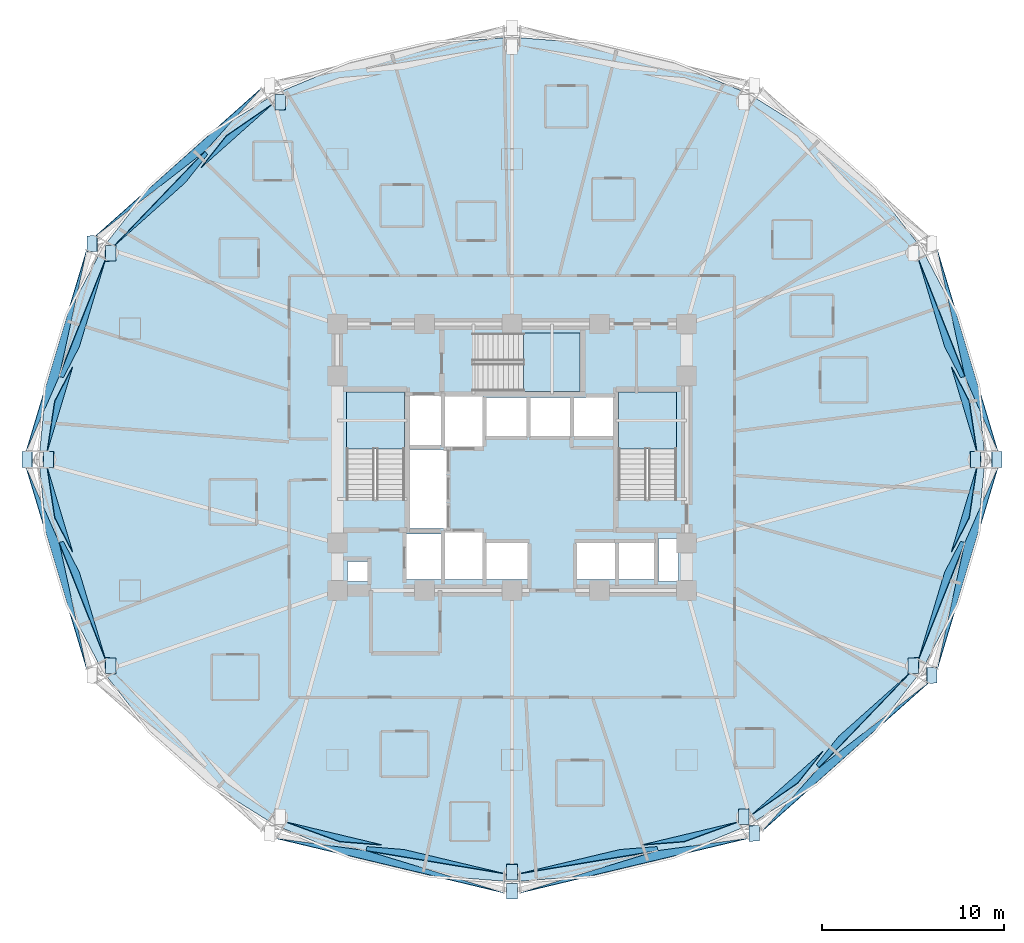
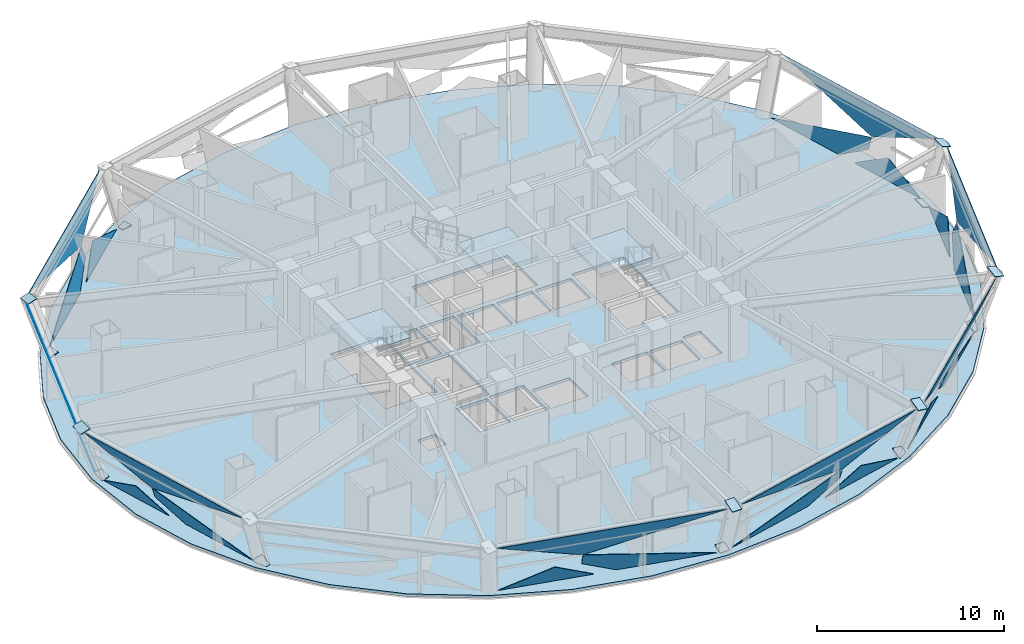
# One storey, part 3 of 12: 38 plates, 4 slabs, 11 elements without a shape of their own.
"""IFC4 building model written with IfcOpenShell, lengths in metres."""

from ifc_helpers import new_model, si_unit, direction, frame, origin, place, context, subcontext, project, spatial, polyline, outline, extrude, material, layer, layer_set, type_object, element, aggregate, save


model = new_model("IFC4")

# Units and contexts
model_context = context("Model", 3, precision=1e-05, world=origin(), true_north=direction((0.0, 1.0)))
body_context = subcontext(model_context, "Body", "Model", "MODEL_VIEW")
ifc_project = project(units=[si_unit("LENGTHUNIT", "METRE"), si_unit("AREAUNIT", "SQUARE_METRE"), si_unit("VOLUMEUNIT", "CUBIC_METRE"), si_unit("PLANEANGLEUNIT", "RADIAN"), si_unit("MASSUNIT", "GRAM", prefix="KILO")], contexts=[model_context])

# Site, building, storey
site_placement = place(None, origin())
site = spatial("IfcSite", under=ifc_project, at=site_placement, CompositionType="ELEMENT")
building_placement = place(site_placement, origin())
building = spatial("IfcBuilding", under=site, at=building_placement, Name="Vantalir Tower", CompositionType="ELEMENT")
storey_placement = place(building_placement, frame((0.0, 0.0, 38.25)))
storey = spatial("IfcBuildingStorey", under=building, at=storey_placement, Name="L08", CompositionType="ELEMENT", Elevation=38.25)

# Curtain wall, plates
ifc_material_1 = material(Name="Champagne-silver PVDF aluminium and double-silver Low-E glass", Category="aluminium")
ifc_layer_1 = layer(ifc_material_1, 0.18994140625)
ifc_layer_set_1 = layer_set([ifc_layer_1], Name="Champagne-silver PVDF aluminium and double-silver Low-E glass")
curtain_wall_type = type_object("IfcCurtainWallType", Name="CW-DIAMOND-Z1", PredefinedType="USERDEFINED", material=ifc_layer_set_1)
curtain_wall_1_placement = place(storey_placement, origin())
curtain_wall_1 = element("IfcCurtainWall", 1, at=curtain_wall_1_placement, inside=storey, type_object=curtain_wall_type, Name="L08 Quilted Pyramid-Diamond Curtain Wall S01", ObjectType="UNITISED CURTAIN WALL", PredefinedType="USERDEFINED")
ifc_material_2 = material(Name="Double-silver Low-E laminated glass IGU", Category="glass")
ifc_layer_2 = layer(ifc_material_2, 0.028076171875)
ifc_layer_set_2 = layer_set([ifc_layer_2], Name="Double-silver Low-E laminated glass IGU")
plate_type_1 = type_object("IfcPlateType", Name="CWP-IGU-28", PredefinedType="CURTAIN_PANEL", material=ifc_layer_set_2)
plate_1_placement = place(storey_placement, frame((55.276611328125, 31.20068359375, 0.046630859375), z_axis=(-0.906429416065, -0.272515617184, 0.322677783685), x_axis=(-0.28793036566, 0.957651347179, -4.21637e-05)))
plate_1 = element("IfcPlate", 2, at=plate_1_placement, type_object=plate_type_1, Name="CW-L08-S01 Pyramid Diamond Facet 1L", PredefinedType="CURTAIN_PANEL", context=body_context, shape_type="SweptSolid", body=[
    extrude(outline(polyline([(0.0, 0.0), (4.972512996365697, -3.4558944247975454e-17), (-1.8872040310438676, -1.8245694884844048), (-1.8871027206925164, -1.0982524570622512), (0.0, 0.0)])), origin(), (0.0, 0.0, -1.0), 0.028076171875),
])
plate_2_placement = place(storey_placement, frame((57.030029296875, 25.47314453125, 0.036376953125), z_axis=(-0.906454432104, -0.272488021929, 0.322630811339), x_axis=(-0.28788257551, 0.957665715538, 0.0)))
plate_2 = element("IfcPlate", 3, at=plate_2_placement, type_object=plate_type_1, Name="CW-L08-S01 Pyramid Diamond Facet 1L Infill Light", PredefinedType="CURTAIN_PANEL", context=body_context, shape_type="SweptSolid", body=[
    extrude(outline(polyline([(0.0, 0.0), (4.816959649412938, 0.0), (2.7305921421617296, -1.2143516558902772), (0.0, 0.0)])), origin(), (0.0, 0.0, -1.0), 0.028076171875),
])
plate_3_placement = place(storey_placement, frame((54.874267578125, 36.493408203125, 3.523681640625), z_axis=(-0.913805881956, -0.274643977291, 0.299214798833), x_axis=(0.287824350379, -0.95768321635, -2.1199407e-05)))
plate_3 = element("IfcPlate", 4, at=plate_3_placement, type_object=plate_type_1, Name="CW-L08-S01 Pyramid Diamond Facet 2U", PredefinedType="CURTAIN_PANEL", context=body_context, shape_type="SweptSolid", body=[
    extrude(outline(polyline([(0.0, 0.0), (11.516389288313032, 8.25891004890833e-17), (7.07189810798861, -1.8098161767791388), (0.0, 0.0)])), origin(), (0.0, 0.0, -1.0), 0.028076171875),
])
aggregate(curtain_wall_1, [plate_1, plate_2, plate_3])

curtain_wall_2_placement = place(storey_placement, origin())
curtain_wall_2 = element("IfcCurtainWall", 5, at=curtain_wall_2_placement, inside=storey, type_object=curtain_wall_type, Name="L08 Quilted Pyramid-Diamond Curtain Wall S05", ObjectType="UNITISED CURTAIN WALL", PredefinedType="USERDEFINED")
plate_4_placement = place(storey_placement, frame((13.55078125, 40.220947265625, 0.04638671875), z_axis=(0.632866971409, -0.710029053894, 0.308768747003), x_axis=(-0.74650464864, -0.665380199243, -3.683082e-06)))
plate_4 = element("IfcPlate", 6, at=plate_4_placement, type_object=plate_type_1, Name="CW-L08-S05 Pyramid Diamond Facet 1L", PredefinedType="CURTAIN_PANEL", context=body_context, shape_type="SweptSolid", body=[
    extrude(outline(polyline([(0.0, 0.0), (5.216420761340987, -1.1102230246251565e-16), (-1.9433784555166524, -1.816023883328275), (-1.9432937641591888, -1.089847803567014), (0.0, 0.0)])), origin(), (0.0, 0.0, -1.0), 0.028076171875),
])
plate_5_placement = place(storey_placement, frame((18.29736328125, 44.492431640625, 0.03662109375), z_axis=(0.632850918612, -0.709996153838, 0.308877283638), x_axis=(-0.746498512984, -0.665387082916, 0.0)))
plate_5 = element("IfcPlate", 7, at=plate_5_placement, type_object=plate_type_1, Name="CW-L08-S05 Pyramid Diamond Facet 1L Infill Light", PredefinedType="CURTAIN_PANEL", context=body_context, shape_type="SweptSolid", body=[
    extrude(outline(polyline([(0.0, 0.0), (5.180108589788704, 0.0), (2.9960964132076415, -1.224679418910812), (0.0, 0.0)])), origin(), (0.0, 0.0, -1.0), 0.028076171875),
])
plate_6_placement = place(storey_placement, frame((8.627197265625, 37.2802734375, 3.523681640625), z_axis=(0.637829840226, -0.715579161519, 0.284814954868), x_axis=(0.746501157178, 0.665384116079, -2.0033846e-05)))
plate_6 = element("IfcPlate", 8, at=plate_6_placement, type_object=plate_type_1, Name="CW-L08-S05 Pyramid Diamond Facet 2U", PredefinedType="CURTAIN_PANEL", context=body_context, shape_type="SweptSolid", body=[
    extrude(outline(polyline([(0.0, 0.0), (12.186408395053784, -9.107298248878237e-17), (7.5751523631025455, -1.8020225418251414), (0.0, 0.0)])), origin(), (0.0, 0.0, -1.0), 0.028076171875),
])
aggregate(curtain_wall_2, [plate_4, plate_5, plate_6])

curtain_wall_3_placement = place(storey_placement, origin())
curtain_wall_3 = element("IfcCurtainWall", 9, at=curtain_wall_3_placement, inside=storey, type_object=curtain_wall_type, Name="L08 Quilted Pyramid-Diamond Curtain Wall S06", ObjectType="UNITISED CURTAIN WALL", PredefinedType="USERDEFINED")
plate_7_placement = place(storey_placement, frame((9.155029296875, 35.962646484375, 0.04638671875), z_axis=(0.906429416065, -0.272515617184, 0.322677783685), x_axis=(-0.28793036566, -0.957651347179, 4.21637e-05)))
plate_7 = element("IfcPlate", 10, at=plate_7_placement, type_object=plate_type_1, Name="CW-L08-S06 Pyramid Diamond Facet 1L", PredefinedType="CURTAIN_PANEL", context=body_context, shape_type="SweptSolid", body=[
    extrude(outline(polyline([(0.0, 0.0), (4.972512996365697, 3.4558944247975454e-17), (6.8596157170582135, -1.0982524570622512), (6.859717027409564, -1.8245694884844048), (0.0, 0.0)])), origin(), (0.0, 0.0, -1.0), 0.028076171875),
])
plate_8_placement = place(storey_placement, frame((7.356689453125, 30.086181640625, 0.036376953125), z_axis=(0.906454432104, -0.272488021929, 0.322630811339), x_axis=(-0.28788257551, -0.957665715538, 0.0)))
plate_8 = element("IfcPlate", 11, at=plate_8_placement, type_object=plate_type_1, Name="CW-L08-S06 Pyramid Diamond Facet 1L Infill Light", PredefinedType="CURTAIN_PANEL", context=body_context, shape_type="SweptSolid", body=[
    extrude(outline(polyline([(0.0, 0.0), (4.816959649412938, 0.0), (2.086367507251209, -1.2143516558902774), (0.0, 0.0)])), origin(), (0.0, 0.0, -1.0), 0.028076171875),
])
plate_9_placement = place(storey_placement, frame((4.81103515625, 25.46435546875, 3.5234375), z_axis=(0.913805881956, -0.274643977291, 0.299214798833), x_axis=(0.287824350379, 0.95768321635, 2.1199407e-05)))
plate_9 = element("IfcPlate", 12, at=plate_9_placement, type_object=plate_type_1, Name="CW-L08-S06 Pyramid Diamond Facet 2U", PredefinedType="CURTAIN_PANEL", context=body_context, shape_type="SweptSolid", body=[
    extrude(outline(polyline([(0.0, 0.0), (11.516389288313032, -8.25891004890833e-17), (4.444491180324424, -1.809816176779139), (0.0, 0.0)])), origin(), (0.0, 0.0, -1.0), 0.028076171875),
])
aggregate(curtain_wall_3, [plate_7, plate_8, plate_9])

curtain_wall_4_placement = place(storey_placement, origin())
curtain_wall_4 = element("IfcCurtainWall", 13, at=curtain_wall_4_placement, inside=storey, type_object=curtain_wall_type, Name="L08 Quilted Pyramid-Diamond Curtain Wall S07", ObjectType="UNITISED CURTAIN WALL", PredefinedType="USERDEFINED")
plate_10_placement = place(storey_placement, frame((7.723388671875, 18.79931640625, 0.046630859375), z_axis=(0.906429416065, 0.272515617184, 0.322677783685), x_axis=(0.28793036566, -0.957651347179, -4.21637e-05)))
plate_10 = element("IfcPlate", 14, at=plate_10_placement, type_object=plate_type_1, Name="CW-L08-S07 Pyramid Diamond Facet 1L", PredefinedType="CURTAIN_PANEL", context=body_context, shape_type="SweptSolid", body=[
    extrude(outline(polyline([(0.0, 0.0), (4.972512996365697, -3.4558944247975454e-17), (-1.8872040310438676, -1.8245694884844048), (-1.8871027206925164, -1.0982524570622512), (0.0, 0.0)])), origin(), (0.0, 0.0, -1.0), 0.028076171875),
])
plate_11_placement = place(storey_placement, frame((5.969970703125, 24.52685546875, 0.036376953125), z_axis=(0.906454432104, 0.272488021929, 0.322630811339), x_axis=(0.28788257551, -0.957665715538, 0.0)))
plate_11 = element("IfcPlate", 15, at=plate_11_placement, type_object=plate_type_1, Name="CW-L08-S07 Pyramid Diamond Facet 1L Infill Light", PredefinedType="CURTAIN_PANEL", context=body_context, shape_type="SweptSolid", body=[
    extrude(outline(polyline([(0.0, 0.0), (4.816959649412938, 0.0), (2.7305921421617296, -1.2143516558902772), (0.0, 0.0)])), origin(), (0.0, 0.0, -1.0), 0.028076171875),
])
plate_12_placement = place(storey_placement, frame((8.125732421875, 13.506591796875, 3.523681640625), z_axis=(0.913805881956, 0.274643977291, 0.299214798833), x_axis=(-0.287824350379, 0.95768321635, -2.1199407e-05)))
plate_12 = element("IfcPlate", 16, at=plate_12_placement, type_object=plate_type_1, Name="CW-L08-S07 Pyramid Diamond Facet 2U", PredefinedType="CURTAIN_PANEL", context=body_context, shape_type="SweptSolid", body=[
    extrude(outline(polyline([(0.0, 0.0), (11.516389288313032, 8.25891004890833e-17), (7.07189810798861, -1.8098161767791388), (0.0, 0.0)])), origin(), (0.0, 0.0, -1.0), 0.028076171875),
])
aggregate(curtain_wall_4, [plate_10, plate_11, plate_12])

curtain_wall_5_placement = place(storey_placement, origin())
curtain_wall_5 = element("IfcCurtainWall", 17, at=curtain_wall_5_placement, inside=storey, type_object=curtain_wall_type, Name="L08 Quilted Pyramid-Diamond Curtain Wall S09", ObjectType="UNITISED CURTAIN WALL", PredefinedType="USERDEFINED")
plate_13_placement = place(storey_placement, frame((25.5693359375, 3.56201171875, 0.04638671875), z_axis=(0.221840435421, 0.928907027377, 0.296510633372), x_axis=(0.97264740737, -0.232286506145, 1.46911e-07)))
plate_13 = element("IfcPlate", 18, at=plate_13_placement, type_object=plate_type_1, Name="CW-L08-S09 Pyramid Diamond Facet 1L", PredefinedType="CURTAIN_PANEL", context=body_context, shape_type="SweptSolid", body=[
    extrude(outline(polyline([(0.0, 0.0), (5.612501457910148, -5.551115123125783e-17), (-2.0212571770758245, -1.8091414001796593), (-2.0214194503485765, -1.0660063095685186), (0.0, 0.0)])), origin(), (0.0, 0.0, -1.0), 0.028076171875),
])
plate_14_placement = place(storey_placement, frame((19.14453125, 5.065185546875, 0.037109375), z_axis=(0.221858346166, 0.928861351209, 0.296640294747), x_axis=(0.972643901488, -0.232301181234, -4.5773632e-05)))
plate_14 = element("IfcPlate", 19, at=plate_14_placement, type_object=plate_type_1, Name="CW-L08-S09 Pyramid Diamond Facet 1L Infill Light", PredefinedType="CURTAIN_PANEL", context=body_context, shape_type="SweptSolid", body=[
    extrude(outline(polyline([(0.0, 0.0), (5.333652051576559, 3.2607380337501546e-17), (3.048711127607468, -1.205012804781245), (0.0, 0.0)])), origin(), (0.0, 0.0, -1.0), 0.028076171875),
])
plate_15_placement = place(storey_placement, frame((31.0283203125, 1.197021484375, 3.523681640625), z_axis=(0.223516204784, 0.935855604385, 0.272423923214), x_axis=(-0.972642333461, 0.232307750187, -1.9040058e-05)))
plate_15 = element("IfcPlate", 20, at=plate_15_placement, type_object=plate_type_1, Name="CW-L08-S09 Pyramid Diamond Facet 2U", PredefinedType="CURTAIN_PANEL", context=body_context, shape_type="SweptSolid", body=[
    extrude(outline(polyline([(0.0, 0.0), (12.822472617576965, -1.169583093568738e-16), (7.880511088236948, -1.795291752713151), (0.0, 0.0)])), origin(), (0.0, 0.0, -1.0), 0.028076171875),
])
aggregate(curtain_wall_5, [plate_13, plate_14, plate_15])

curtain_wall_6_placement = place(storey_placement, origin())
curtain_wall_6 = element("IfcCurtainWall", 21, at=curtain_wall_6_placement, inside=storey, type_object=curtain_wall_type, Name="L08 Quilted Pyramid-Diamond Curtain Wall S10", ObjectType="UNITISED CURTAIN WALL", PredefinedType="USERDEFINED")
plate_16_placement = place(storey_placement, frame((31.9716796875, 2.25830078125, 0.04638671875), z_axis=(-0.221840435421, 0.928907027377, 0.296510633372), x_axis=(0.97264740737, 0.232286506145, -1.46911e-07)))
plate_16 = element("IfcPlate", 22, at=plate_16_placement, type_object=plate_type_1, Name="CW-L08-S10 Pyramid Diamond Facet 1L", PredefinedType="CURTAIN_PANEL", context=body_context, shape_type="SweptSolid", body=[
    extrude(outline(polyline([(0.0, 0.0), (5.612501457910148, 5.551115123125783e-17), (7.633920908258724, -1.0660063095685186), (7.633758634985972, -1.8091414001796593), (0.0, 0.0)])), origin(), (0.0, 0.0, -1.0), 0.028076171875),
])
plate_17_placement = place(storey_placement, frame((38.667724609375, 3.826171875, 0.036865234375), z_axis=(-0.221858346166, 0.928861351209, 0.296640294747), x_axis=(0.972643901488, 0.232301181234, 4.5773632e-05)))
plate_17 = element("IfcPlate", 23, at=plate_17_placement, type_object=plate_type_1, Name="CW-L08-S10 Pyramid Diamond Facet 1L Infill Light", PredefinedType="CURTAIN_PANEL", context=body_context, shape_type="SweptSolid", body=[
    extrude(outline(polyline([(0.0, 0.0), (5.333652051576559, -3.2607380337501546e-17), (2.2849409239690908, -1.2050128047812452), (0.0, 0.0)])), origin(), (0.0, 0.0, -1.0), 0.028076171875),
])
plate_18_placement = place(storey_placement, frame((44.443359375, 4.17578125, 3.5234375), z_axis=(-0.223516204784, 0.935855604385, 0.272423923214), x_axis=(-0.972642333461, -0.232307750187, 1.9040058e-05)))
plate_18 = element("IfcPlate", 24, at=plate_18_placement, type_object=plate_type_1, Name="CW-L08-S10 Pyramid Diamond Facet 2U", PredefinedType="CURTAIN_PANEL", context=body_context, shape_type="SweptSolid", body=[
    extrude(outline(polyline([(0.0, 0.0), (12.822472617576965, 1.169583093568738e-16), (4.941961529340017, -1.795291752713151), (0.0, 0.0)])), origin(), (0.0, 0.0, -1.0), 0.028076171875),
])
aggregate(curtain_wall_6, [plate_16, plate_17, plate_18])

curtain_wall_7_placement = place(storey_placement, origin())
curtain_wall_7 = element("IfcCurtainWall", 25, at=curtain_wall_7_placement, inside=storey, type_object=curtain_wall_type, Name="L08 Quilted Pyramid-Diamond Curtain Wall S11", ObjectType="UNITISED CURTAIN WALL", PredefinedType="USERDEFINED")
plate_19_placement = place(storey_placement, frame((49.44970703125, 9.779541015625, 0.04638671875), z_axis=(-0.632839382096, 0.710007189089, 0.308875554082), x_axis=(0.746508957015, 0.665375365553, -3.321398e-06)))
plate_19 = element("IfcPlate", 26, at=plate_19_placement, type_object=plate_type_1, Name="CW-L08-S11 Pyramid Diamond Facet 1L", PredefinedType="CURTAIN_PANEL", context=body_context, shape_type="SweptSolid", body=[
    extrude(outline(polyline([(0.0, 0.0), (5.21573136421315, 0.0), (-1.943881343440723, -1.8160908372913154), (-1.9437983549287536, -1.0901469576741947), (0.0, 0.0)])), origin(), (0.0, 0.0, -1.0), 0.028076171875),
])
plate_20_placement = place(storey_placement, frame((44.70263671875, 5.507568359375, 0.03662109375), z_axis=(-0.632834425064, 0.710017007397, 0.308863140664), x_axis=(0.746516833701, 0.665366528314, 0.0)))
plate_20 = element("IfcPlate", 27, at=plate_20_placement, type_object=plate_type_1, Name="CW-L08-S11 Pyramid Diamond Facet 1L Infill Light", PredefinedType="CURTAIN_PANEL", context=body_context, shape_type="SweptSolid", body=[
    extrude(outline(polyline([(0.0, 0.0), (5.180635540997862, -1.1102230246251565e-16), (2.99663378081823, -1.224930196058305), (0.0, 0.0)])), origin(), (0.0, 0.0, -1.0), 0.028076171875),
])
plate_21_placement = place(storey_placement, frame((54.372802734375, 12.719482421875, 3.523681640625), z_axis=(-0.637842376536, 0.715537949373, 0.284890409986), x_axis=(-0.746475626952, -0.665412757591, -2.0035311e-05)))
plate_21 = element("IfcPlate", 28, at=plate_21_placement, type_object=plate_type_1, Name="CW-L08-S11 Pyramid Diamond Facet 2U", PredefinedType="CURTAIN_PANEL", context=body_context, shape_type="SweptSolid", body=[
    extrude(outline(polyline([(0.0, 0.0), (12.185516951692836, -2.358681826242215e-16), (7.574605723444864, -1.8020646943755354), (0.0, 0.0)])), origin(), (0.0, 0.0, -1.0), 0.028076171875),
])
aggregate(curtain_wall_7, [plate_19, plate_20, plate_21])

curtain_wall_8_placement = place(storey_placement, origin())
curtain_wall_8 = element("IfcCurtainWall", 29, at=curtain_wall_8_placement, inside=storey, type_object=curtain_wall_type, Name="L08 Quilted Pyramid-Diamond Curtain Wall S12", ObjectType="UNITISED CURTAIN WALL", PredefinedType="USERDEFINED")
plate_22_placement = place(storey_placement, frame((53.844970703125, 14.037353515625, 0.04638671875), z_axis=(-0.906429416065, 0.272515617184, 0.322677783685), x_axis=(0.28793036566, 0.957651347179, 4.21637e-05)))
plate_22 = element("IfcPlate", 30, at=plate_22_placement, type_object=plate_type_1, Name="CW-L08-S12 Pyramid Diamond Facet 1L", PredefinedType="CURTAIN_PANEL", context=body_context, shape_type="SweptSolid", body=[
    extrude(outline(polyline([(0.0, 0.0), (4.972512996365697, 3.4558944247975454e-17), (6.8596157170582135, -1.0982524570622512), (6.859717027409564, -1.8245694884844048), (0.0, 0.0)])), origin(), (0.0, 0.0, -1.0), 0.028076171875),
])
plate_23_placement = place(storey_placement, frame((55.643310546875, 19.913818359375, 0.036376953125), z_axis=(-0.906454432104, 0.272488021929, 0.322630811339), x_axis=(0.28788257551, 0.957665715538, 0.0)))
plate_23 = element("IfcPlate", 31, at=plate_23_placement, type_object=plate_type_1, Name="CW-L08-S12 Pyramid Diamond Facet 1L Infill Light", PredefinedType="CURTAIN_PANEL", context=body_context, shape_type="SweptSolid", body=[
    extrude(outline(polyline([(0.0, 0.0), (4.816959649412938, 0.0), (2.086367507251209, -1.2143516558902774), (0.0, 0.0)])), origin(), (0.0, 0.0, -1.0), 0.028076171875),
])
plate_24_placement = place(storey_placement, frame((58.18896484375, 24.53564453125, 3.5234375), z_axis=(-0.913805881956, 0.274643977291, 0.299214798833), x_axis=(-0.287824350379, -0.95768321635, 2.1199407e-05)))
plate_24 = element("IfcPlate", 32, at=plate_24_placement, type_object=plate_type_1, Name="CW-L08-S12 Pyramid Diamond Facet 2U", PredefinedType="CURTAIN_PANEL", context=body_context, shape_type="SweptSolid", body=[
    extrude(outline(polyline([(0.0, 0.0), (11.516389288313032, -8.25891004890833e-17), (4.444491180324424, -1.809816176779139), (0.0, 0.0)])), origin(), (0.0, 0.0, -1.0), 0.028076171875),
])
aggregate(curtain_wall_8, [plate_22, plate_23, plate_24])

# Plates
ifc_material_3 = material(Name="Steel S460", Category="steel")
ifc_layer_3 = layer(ifc_material_3, 0.035888671875)
ifc_layer_set_3 = layer_set([ifc_layer_3], Name="Steel S460")
plate_type_2 = type_object("IfcPlateType", Name="PLT-KN-Z2", PredefinedType="USERDEFINED", material=ifc_layer_set_3)
plate_25_placement = place(storey_placement, frame((57.872802734375, 25.43994140625, 3.688232421875), z_axis=(0.316101490982, 0.0, 0.948725380391), x_axis=(0.0, -1.0, 0.0)))
element("IfcPlate", 33, at=plate_25_placement, inside=storey, type_object=plate_type_2, Name="L08 Ring Column Top Cap RC01", ObjectType="FLANGE_PLATE", PredefinedType="USERDEFINED", context=body_context, shape_type="SweptSolid", body=[
    extrude(outline(polyline([(0.0, 0.0), (0.8798828125, 0.0), (0.8798828125, 0.5800339909985048), (0.0, 0.5800339909985048), (0.0, 0.0)])), origin(), (0.0, 0.0, -1.0), 0.035888671875),
])
plate_26_placement = place(storey_placement, frame((56.691650390625, 25.43994140625, 0.141845703125), z_axis=(0.315722565082, 0.0, 0.948851548925), x_axis=(0.0, -1.0, 0.0)))
element("IfcPlate", 34, at=plate_26_placement, inside=storey, type_object=plate_type_2, Name="L08 Ring Column Base Cap RC01", ObjectType="FLANGE_PLATE", PredefinedType="USERDEFINED", context=body_context, shape_type="SweptSolid", body=[
    extrude(outline(polyline([(0.0, 0.0), (0.8798828125, 0.0), (0.8798828125, 0.5799568640354604), (0.0, 0.5799568640354604), (0.0, 0.0)])), origin(), (0.0, 0.0, -1.0), 0.035888671875),
])
plate_27_placement = place(storey_placement, frame((18.480224609375, 45.0556640625, -0.103759765625), z_axis=(-0.159023708088, 0.246209538337, 0.956081755656), x_axis=(0.0, -0.968404936708, 0.249382995732)))
element("IfcPlate", 35, at=plate_27_placement, inside=storey, type_object=plate_type_2, Name="L08 Ring Column Base Cap RC05", ObjectType="FLANGE_PLATE", PredefinedType="USERDEFINED", context=body_context, shape_type="SweptSolid", body=[
    extrude(outline(polyline([(0.0, 0.0), (0.8801017937523068, 0.0), (0.8801613915031292, 0.5801362771017767), (5.959775082233637e-05, 0.5801362771017767), (0.0, 0.0)])), origin(), (0.0, 0.0, -1.0), 0.035888671875),
])
plate_28_placement = place(storey_placement, frame((8.1435546875, 37.29052734375, 3.453125), z_axis=(-0.27434706002, 0.141500844937, 0.95116307831), x_axis=(3.618943e-05, -0.98911315093, 0.1471569684)))
element("IfcPlate", 36, at=plate_28_placement, inside=storey, type_object=plate_type_2, Name="L08 Ring Column Top Cap RC06", ObjectType="FLANGE_PLATE", PredefinedType="USERDEFINED", context=body_context, shape_type="SweptSolid", body=[
    extrude(outline(polyline([(0.0, 0.0), (0.8802045523522778, -2.0816681711721685e-17), (0.8801793770148523, 0.5798330984362495), (1.075165681267351e-05, 0.579899347255622), (0.0, 0.0)])), origin(), (0.0, 0.0, -1.0), 0.035888671875),
])
plate_29_placement = place(storey_placement, frame((9.16650390625, 36.762939453125, -0.093017578125), z_axis=(-0.27442849327, 0.14140574384, 0.951153729789), x_axis=(0.0, -0.989128849887, 0.147051413868)))
element("IfcPlate", 37, at=plate_29_placement, inside=storey, type_object=plate_type_2, Name="L08 Ring Column Base Cap RC06", ObjectType="FLANGE_PLATE", PredefinedType="USERDEFINED", context=body_context, shape_type="SweptSolid", body=[
    extrude(outline(polyline([(0.0, 0.0), (0.8799271482417855, -6.938893903907228e-18), (0.8799007303599088, 0.5801341219652713), (-2.641788187675298e-05, 0.5801341219652714), (0.0, 0.0)])), origin(), (0.0, 0.0, -1.0), 0.035888671875),
])
plate_30_placement = place(storey_placement, frame((4.576904296875, 25.43994140625, 3.5048828125), z_axis=(-0.316101490982, 0.0, 0.948725380391), x_axis=(0.0, -1.0, 0.0)))
element("IfcPlate", 38, at=plate_30_placement, inside=storey, type_object=plate_type_2, Name="L08 Ring Column Top Cap RC07", ObjectType="FLANGE_PLATE", PredefinedType="USERDEFINED", context=body_context, shape_type="SweptSolid", body=[
    extrude(outline(polyline([(0.0, 0.0), (0.8798828125, 0.0), (0.8798828125, 0.5800339909985048), (0.0, 0.5800339909985048), (0.0, 0.0)])), origin(), (0.0, 0.0, -1.0), 0.035888671875),
])
plate_31_placement = place(storey_placement, frame((5.758056640625, 25.43994140625, -0.041259765625), z_axis=(-0.315722565082, 0.0, 0.948851548925), x_axis=(0.0, -1.0, 0.0)))
element("IfcPlate", 39, at=plate_31_placement, inside=storey, type_object=plate_type_2, Name="L08 Ring Column Base Cap RC07", ObjectType="FLANGE_PLATE", PredefinedType="USERDEFINED", context=body_context, shape_type="SweptSolid", body=[
    extrude(outline(polyline([(0.0, 0.0), (0.8798828125, 0.0), (0.8798828125, 0.5799568640354604), (0.0, 0.5799568640354604), (0.0, 0.0)])), origin(), (0.0, 0.0, -1.0), 0.035888671875),
])
plate_32_placement = place(storey_placement, frame((9.16650390625, 14.107421875, 0.036376953125), z_axis=(-0.27442849327, -0.14140574384, 0.951153729789), x_axis=(0.0, -0.989128849887, -0.147051413868)))
element("IfcPlate", 40, at=plate_32_placement, inside=storey, type_object=plate_type_2, Name="L08 Ring Column Base Cap RC08", ObjectType="FLANGE_PLATE", PredefinedType="USERDEFINED", context=body_context, shape_type="SweptSolid", body=[
    extrude(outline(polyline([(0.0, 0.0), (0.8799271482417855, 6.938893903907228e-18), (0.8799535661236623, 0.5801341219652713), (2.641788187675298e-05, 0.5801341219652714), (0.0, 0.0)])), origin(), (0.0, 0.0, -1.0), 0.035888671875),
])
for number, where, z_axis, x_axis, name in (
    (41, (31.2099609375, 1.687744140625, 3.722412109375), (0.0, -0.2851838156, 0.958472843287), (0.0, -0.958472843287, -0.2851838156), "L08 Ring Column Top Cap RC10"),
    (42, (31.2099609375, 2.74267578125, 0.17626953125), (0.0, -0.2851838156, 0.958472843287), (0.0, -0.958472843287, -0.2851838156), "L08 Ring Column Base Cap RC10"),
):
    element("IfcPlate", number, at=place(storey_placement, frame(where, z_axis=z_axis, x_axis=x_axis)), inside=storey, type_object=plate_type_2, Name=name, ObjectType="FLANGE_PLATE", PredefinedType="USERDEFINED", context=body_context, shape_type="SweptSolid", body=[
        extrude(outline(polyline([(0.0, 0.0), (0.8800519130848325, 0.0), (0.8800519130848325, 0.5800781250000001), (0.0, 0.5800781250000001), (0.0, 0.0)])), origin(), (0.0, 0.0, -1.0), 0.035888671875),
    ])
plate_33_placement = place(storey_placement, frame((44.5380859375, 4.860595703125, 3.751220703125), z_axis=(0.159273450131, -0.246104136331, 0.956067320937), x_axis=(2.6564622e-05, -0.968428737955, -0.24929055096)))
element("IfcPlate", 43, at=plate_33_placement, inside=storey, type_object=plate_type_2, Name="L08 Ring Column Top Cap RC11", ObjectType="FLANGE_PLATE", PredefinedType="USERDEFINED", context=body_context, shape_type="SweptSolid", body=[
    extrude(outline(polyline([(0.0, 0.0), (0.8798653566344404, -6.938893903907228e-18), (0.8799313627102259, 0.5801362578474125), (-0.00010956477064888795, 0.5801836136121439), (0.0, 0.0)])), origin(), (0.0, 0.0, -1.0), 0.035888671875),
])
plate_34_placement = place(storey_placement, frame((43.947265625, 5.7734375, 0.205078125), z_axis=(0.159339646496, -0.24610147347, 0.956056976236), x_axis=(-1.5695634e-05, -0.96843043808, -0.249283947246)))
element("IfcPlate", 44, at=plate_34_placement, inside=storey, type_object=plate_type_2, Name="L08 Ring Column Base Cap RC11", ObjectType="FLANGE_PLATE", PredefinedType="USERDEFINED", context=body_context, shape_type="SweptSolid", body=[
    extrude(outline(polyline([(0.0, 0.0), (0.8798044954894557, 0.0), (0.87990653191485, 0.5799329016836469), (-0.0001952571257105816, 0.5799049213574098), (0.0, 0.0)])), origin(), (0.0, 0.0, -1.0), 0.035888671875),
])
plate_35_placement = place(storey_placement, frame((54.298828125, 13.556640625, 3.739990234375), z_axis=(0.27434706002, -0.141500844937, 0.95116307831), x_axis=(-3.6190907e-05, -0.989116189458, -0.147136543534)))
element("IfcPlate", 45, at=plate_35_placement, inside=storey, type_object=plate_type_2, Name="L08 Ring Column Top Cap RC12", ObjectType="FLANGE_PLATE", PredefinedType="USERDEFINED", context=body_context, shape_type="SweptSolid", body=[
    extrude(outline(polyline([(0.0, 0.0), (0.8801686278512584, 1.3877787807814457e-17), (0.8801357314548212, 0.5798993464222234), (-6.88184041359452e-05, 0.5798330948988739), (0.0, 0.0)])), origin(), (0.0, 0.0, -1.0), 0.035888671875),
])
plate_36_placement = place(storey_placement, frame((53.275634765625, 14.083984375, 0.19384765625), z_axis=(0.27442849327, -0.14140574384, 0.951153729789), x_axis=(0.0, -0.989128849887, -0.147051413868)))
element("IfcPlate", 46, at=plate_36_placement, inside=storey, type_object=plate_type_2, Name="L08 Ring Column Base Cap RC12", ObjectType="FLANGE_PLATE", PredefinedType="USERDEFINED", context=body_context, shape_type="SweptSolid", body=[
    extrude(outline(polyline([(0.0, 0.0), (0.8799271482417855, -6.938893903907228e-18), (0.8799007303599088, 0.5801341219652713), (-2.641788187675298e-05, 0.5801341219652714), (0.0, 0.0)])), origin(), (0.0, 0.0, -1.0), 0.035888671875),
])

# Stair, slab
ifc_material_4 = material(Name="Concrete C40/50", Category="concrete")
stair_type = type_object("IfcStairType", Name="STR-CORE-1450", PredefinedType="HALF_TURN_STAIR", material=ifc_material_4)
stair_1_placement = place(storey_placement, origin())
stair_1 = element("IfcStair", 47, at=stair_1_placement, inside=storey, type_object=stair_type, Name="L08 Core Exit Stair 1", PredefinedType="HALF_TURN_STAIR")
ifc_layer_4 = layer(ifc_material_4, 0.199951171875)
ifc_layer_set_4 = layer_set([ifc_layer_4], Name="Concrete C40/50")
slab_type_1 = type_object("IfcSlabType", Name="SL-LAND-200", PredefinedType="LANDING", material=ifc_layer_set_4)
slab_1_placement = place(storey_placement, frame((0.0, 0.0, 1.675048828125)))
slab_1 = element("IfcSlab", 48, at=slab_1_placement, type_object=slab_type_1, Name="ST1 landing 1", PredefinedType="LANDING", context=body_context, shape_type="SweptSolid", body=[
    extrude(outline(polyline([(25.60009765625, 25.590087890625), (25.60009765625, 28.699951171875), (22.39990234375, 28.699951171875), (22.39990234375, 25.590087890625), (25.60009765625, 25.590087890625)])), origin(), (0.0, 0.0, 1.0), 0.199951171875),
])
aggregate(stair_1, [slab_1])

stair_2_placement = place(storey_placement, origin())
stair_2 = element("IfcStair", 49, at=stair_2_placement, inside=storey, type_object=stair_type, Name="L08 Core Exit Stair 2", PredefinedType="HALF_TURN_STAIR")
slab_2_placement = place(storey_placement, frame((0.0, 0.0, 1.675048828125)))
slab_2 = element("IfcSlab", 50, at=slab_2_placement, type_object=slab_type_1, Name="ST2 landing 1", PredefinedType="LANDING", context=body_context, shape_type="SweptSolid", body=[
    extrude(outline(polyline([(40.550048828125, 25.590087890625), (40.550048828125, 28.699951171875), (37.35009765625, 28.699951171875), (37.35009765625, 25.590087890625), (40.550048828125, 25.590087890625)])), origin(), (0.0, 0.0, 1.0), 0.199951171875),
])
aggregate(stair_2, [slab_2])

stair_3_placement = place(storey_placement, origin())
stair_3 = element("IfcStair", 51, at=stair_3_placement, inside=storey, type_object=stair_type, Name="L08 Core Exit Stair 3", PredefinedType="HALF_TURN_STAIR")
slab_3_placement = place(storey_placement, frame((0.0, 0.0, 1.675048828125)))
slab_3 = element("IfcSlab", 52, at=slab_3_placement, type_object=slab_type_1, Name="ST3 landing 1", PredefinedType="LANDING", context=body_context, shape_type="SweptSolid", body=[
    extrude(outline(polyline([(32.139892578125, 28.75), (35.25, 28.75), (35.25, 31.949951171875), (32.139892578125, 31.949951171875), (32.139892578125, 28.75)])), origin(), (0.0, 0.0, 1.0), 0.199951171875),
])
aggregate(stair_3, [slab_3])

# Slab
ifc_layer_5 = layer(ifc_material_4, 0.179931640625)
ifc_layer_set_5 = layer_set([ifc_layer_5], Name="Concrete C40/50")
slab_type_2 = type_object("IfcSlabType", Name="SL-TWR-180", PredefinedType="FLOOR", material=ifc_layer_set_5)
slab_4_placement = place(storey_placement, frame((0.0, 0.0, -0.179931640625)))
element("IfcSlab", 53, at=slab_4_placement, inside=storey, type_object=slab_type_2, Name="L08 Primary Structural Slab", PredefinedType="FLOOR", context=body_context, shape_type="SweptSolid", body=[
    extrude(outline(polyline([(8.98291015625, 13.39306640625), (11.5830078125, 10.077880859375), (14.7880859375, 7.217041015625), (18.5, 4.89599609375), (22.60693359375, 3.18603515625), (26.985107421875, 2.138916015625), (31.5, 1.785888671875), (36.014892578125, 2.138916015625), (40.39306640625, 3.18603515625), (44.5, 4.89599609375), (48.2119140625, 7.217041015625), (51.4169921875, 10.077880859375), (54.01708984375, 13.39306640625), (55.931884765625, 17.06005859375), (57.10498046875, 20.968994140625), (57.5, 25.0), (57.10498046875, 29.031005859375), (55.931884765625, 32.93994140625), (54.01708984375, 36.60693359375), (51.4169921875, 39.922119140625), (48.2119140625, 42.782958984375), (44.5, 45.10400390625), (40.39306640625, 46.81396484375), (36.014892578125, 47.861083984375), (31.5, 48.214111328125), (26.985107421875, 47.861083984375), (22.60693359375, 46.81396484375), (18.5, 45.10400390625), (14.7880859375, 42.782958984375), (11.5830078125, 39.922119140625), (8.98291015625, 36.60693359375), (7.068115234375, 32.93994140625), (5.89501953125, 29.031005859375), (5.5, 25.0), (5.89501953125, 20.968994140625), (7.068115234375, 17.06005859375), (8.98291015625, 13.39306640625)]), holes=[polyline([(22.39990234375, 22.7900390625), (22.39990234375, 28.699951171875), (25.60009765625, 28.699951171875), (25.60009765625, 22.7900390625), (22.39990234375, 22.7900390625)]), polyline([(37.35009765625, 28.699951171875), (40.550048828125, 28.699951171875), (40.550048828125, 22.7900390625), (37.35009765625, 22.7900390625), (37.35009765625, 28.699951171875)]), polyline([(35.25, 28.75), (29.340087890625, 28.75), (29.340087890625, 31.949951171875), (35.25, 31.949951171875), (35.25, 28.75)]), polyline([(27.60009765625, 18.39990234375), (25.699951171875, 18.39990234375), (25.699951171875, 20.89990234375), (27.60009765625, 20.89990234375), (27.60009765625, 18.39990234375)]), polyline([(25.699951171875, 25.800048828125), (25.699951171875, 28.5), (27.60009765625, 28.5), (27.60009765625, 25.800048828125), (25.699951171875, 25.800048828125)]), polyline([(27.800048828125, 21.0), (29.89990234375, 21.0), (29.89990234375, 18.39990234375), (27.800048828125, 18.39990234375), (27.800048828125, 21.0)]), polyline([(29.89990234375, 28.5), (29.89990234375, 25.699951171875), (27.800048828125, 25.699951171875), (27.800048828125, 28.5), (29.89990234375, 28.5)]), polyline([(32.39990234375, 18.39990234375), (30.10009765625, 18.39990234375), (30.10009765625, 20.39990234375), (32.39990234375, 20.39990234375), (32.39990234375, 18.39990234375)]), polyline([(37.35009765625, 18.39990234375), (37.35009765625, 20.39990234375), (39.35009765625, 20.39990234375), (39.35009765625, 18.39990234375), (37.35009765625, 18.39990234375)]), polyline([(35.0, 20.39990234375), (37.199951171875, 20.39990234375), (37.199951171875, 18.39990234375), (35.0, 18.39990234375), (35.0, 20.39990234375)]), polyline([(32.300048828125, 28.39990234375), (32.300048828125, 26.300048828125), (30.10009765625, 26.300048828125), (30.10009765625, 28.39990234375), (32.300048828125, 28.39990234375)]), polyline([(34.699951171875, 26.300048828125), (32.5, 26.300048828125), (32.5, 28.39990234375), (34.699951171875, 28.39990234375), (34.699951171875, 26.300048828125)]), polyline([(34.89990234375, 26.300048828125), (34.89990234375, 28.39990234375), (37.10009765625, 28.39990234375), (37.10009765625, 26.300048828125), (34.89990234375, 26.300048828125)]), polyline([(25.889892578125, 25.56005859375), (27.89990234375, 25.56005859375), (27.89990234375, 21.199951171875), (25.889892578125, 21.199951171875), (25.889892578125, 25.56005859375)]), polyline([(23.550048828125, 19.39990234375), (23.550048828125, 18.300048828125), (22.449951171875, 18.300048828125), (22.449951171875, 19.39990234375), (23.550048828125, 19.39990234375)]), polyline([(40.64990234375, 18.300048828125), (39.550048828125, 18.300048828125), (39.550048828125, 20.64990234375), (40.64990234375, 20.64990234375), (40.64990234375, 18.300048828125)])]), origin(), (0.0, 0.0, 1.0), 0.179931640625),
])

save(model, "model.ifc")
